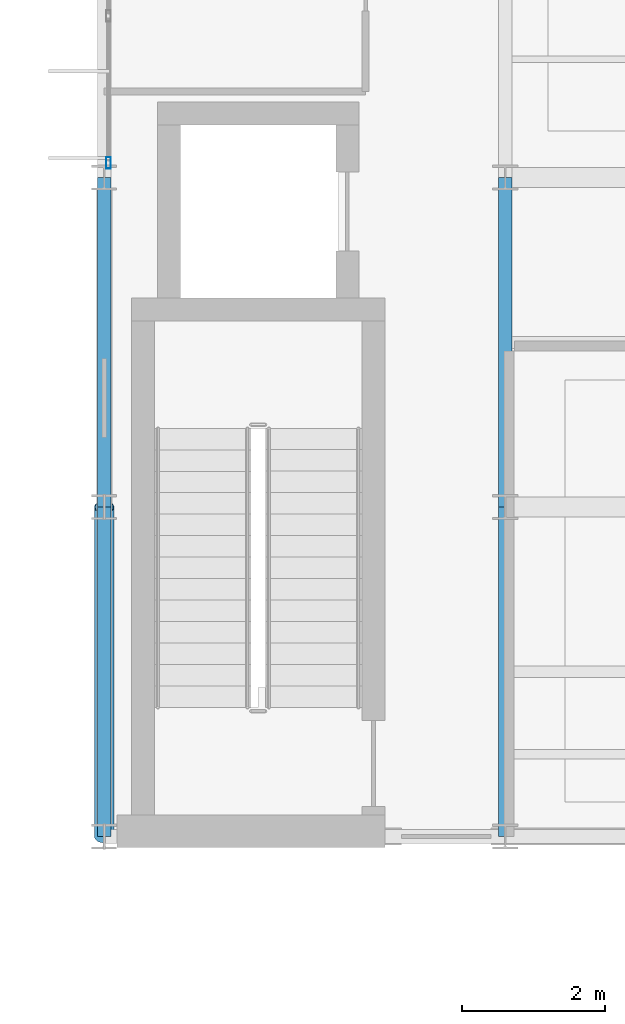
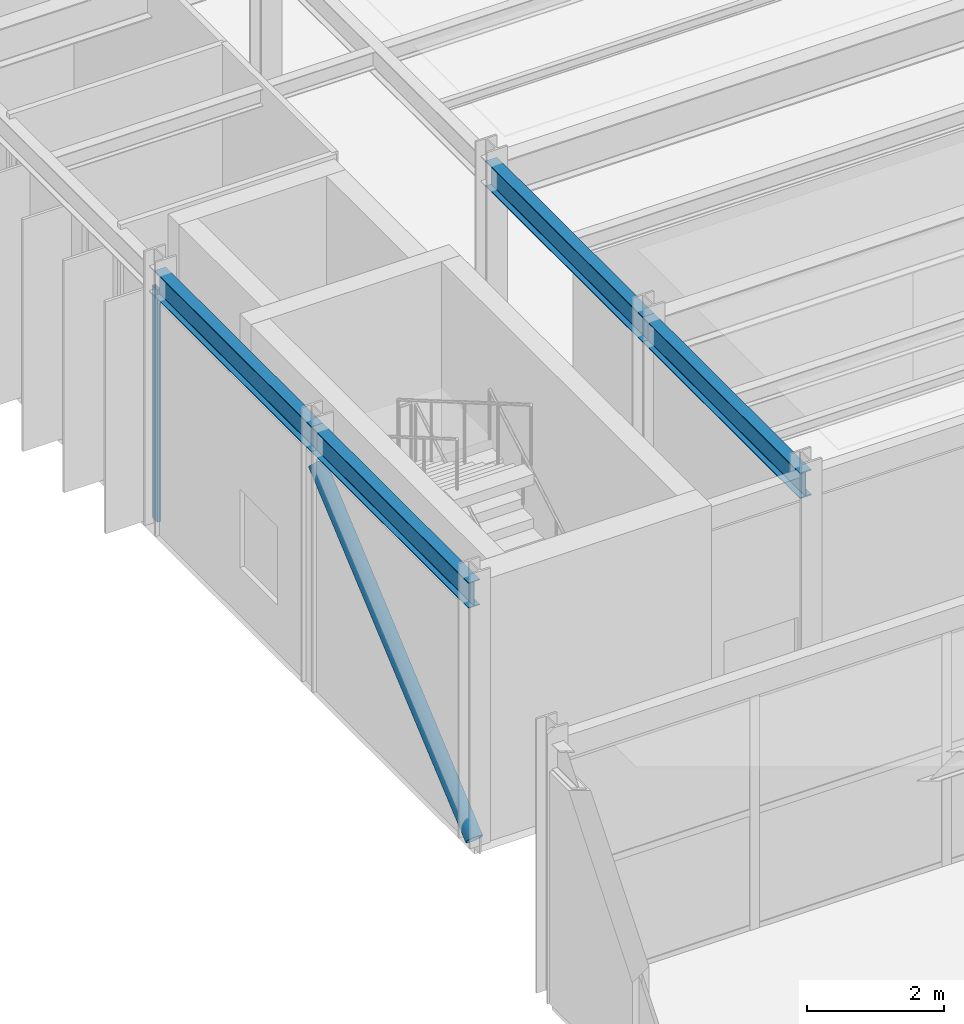
# One storey, part 32 of 144: 4 beams, 2 members, 1 element without a shape of its own.
"""IFC4 building model written with IfcOpenShell, lengths in metres."""

import ifcopenshell
import ifcopenshell.guid

model = None  # the IFC model being written
_history = None  # IfcOwnerHistory: only IFC2X3 demands one
_inside = {}  # id of a spatial element -> (the spatial element, [elements in it])
_under = {}  # id of a project, library or spatial element -> (it, [spatial elements below it])
_declared = {}  # id of a project -> (the project, [libraries it declares])
_typed = {}  # id of a type object -> (the type object, [elements of that type])
_made_of = {}  # id of a material, layer set ... -> (it, [elements and type objects made of it])


def new_model(schema):
    """Start an empty IFC model of exactly this schema.

    Asked for "IFC4X3", IfcOpenShell would pick the latest addendum, in which some entities
    have other attributes; the version numbers below select the first issue.
    IFC2X3 requires an IfcOwnerHistory on every rooted entity: one is made here for all.
    """
    global model, _history
    if schema == "IFC4X3":
        model = ifcopenshell.file(schema_version=(4, 3, 0, 0))
    else:
        model = ifcopenshell.file(schema=schema)
    _inside.clear()
    _under.clear()
    _declared.clear()
    _typed.clear()
    _made_of.clear()
    _history = None
    if model.schema == "IFC2X3":
        org = make("IfcOrganization", Name="unknown")
        user = make(
            "IfcPersonAndOrganization",
            ThePerson=make("IfcPerson", FamilyName="unknown"),
            TheOrganization=org,
        )
        app = make(
            "IfcApplication",
            ApplicationDeveloper=org,
            Version="unknown",
            ApplicationFullName="unknown",
            ApplicationIdentifier="unknown",
        )
        _history = make(
            "IfcOwnerHistory",
            OwningUser=user,
            OwningApplication=app,
            ChangeAction="ADDED",
            CreationDate=0,
        )
    return model


def make(cls, **values):
    """One entity of the class cls with the attributes given. An attribute that is None is left unset."""
    return model.create_entity(
        cls, **{name: value for name, value in values.items() if value is not None}
    )


def rooted(cls, **values):
    """An entity with a GlobalId (a new one), such as an element, a storey or a relation."""
    return make(cls, GlobalId=ifcopenshell.guid.new(), OwnerHistory=_history, **values)


def si_unit(unit_type, name, prefix=None):
    """IfcSIUnit, for example si_unit("LENGTHUNIT", "METRE", prefix="MILLI")."""
    return make("IfcSIUnit", UnitType=unit_type, Prefix=prefix, Name=name)


def assignment(units):
    """IfcUnitAssignment: the units of a project."""
    return None if units is None else make("IfcUnitAssignment", Units=units)


def point(xyz):
    """IfcCartesianPoint."""
    return None if xyz is None else make("IfcCartesianPoint", Coordinates=xyz)


def direction(xyz):
    """IfcDirection."""
    return None if xyz is None else make("IfcDirection", DirectionRatios=xyz)


def frame(location, z_axis=None, x_axis=None):
    """IfcAxis2Placement3D, a coordinate frame: its origin and axes. An axis left out is left unset."""
    return make(
        "IfcAxis2Placement3D",
        Location=point(location),
        Axis=direction(z_axis),
        RefDirection=direction(x_axis),
    )


def frame_2d(location, x_axis=None):
    """IfcAxis2Placement2D, a coordinate frame in the plane: its origin and x axis."""
    return make(
        "IfcAxis2Placement2D", Location=point(location), RefDirection=direction(x_axis)
    )


def origin():
    """The frame at (0, 0, 0) with its axes left unset."""
    return frame((0.0, 0.0, 0.0))


def origin_2d():
    """The frame at (0, 0) in the plane with its x axis left unset."""
    return frame_2d((0.0, 0.0))


def place(relative_to, where):
    """IfcLocalPlacement: puts the frame where relative to a parent placement (None: the world)."""
    return make(
        "IfcLocalPlacement", PlacementRelTo=relative_to, RelativePlacement=where
    )


def context(
    kind, dimensions, precision=None, world=None, true_north=None, identifier=None
):
    """IfcGeometricRepresentationContext, for example the 3D "Model" context."""
    return make(
        "IfcGeometricRepresentationContext",
        ContextIdentifier=identifier,
        ContextType=kind,
        CoordinateSpaceDimension=dimensions,
        Precision=precision,
        WorldCoordinateSystem=world,
        TrueNorth=true_north,
    )


def subcontext(parent, identifier, kind, view, scale=None):
    """IfcGeometricRepresentationSubContext, for example "Body" below "Model"."""
    return make(
        "IfcGeometricRepresentationSubContext",
        ContextIdentifier=identifier,
        ContextType=kind,
        ParentContext=parent,
        TargetScale=scale,
        TargetView=view,
    )


def project(units=None, contexts=None):
    """IfcProject with its units and contexts."""
    return rooted(
        "IfcProject",
        Name="project",
        RepresentationContexts=contexts,
        UnitsInContext=assignment(units),
    )


def spatial(cls, under=None, at=None, **own):
    """A site, building, storey or space (cls), placed at a placement, below another one or the project."""
    s = rooted(cls, ObjectPlacement=at, **own)
    if under is not None:
        _under.setdefault(under.id(), (under, []))[1].append(s)
    return s


def profile(cls, at=None, kind="AREA", **sizes):
    """A parametric profile (cls). Its sizes go by their IFC names, for example OverallWidth=200.0."""
    return make(cls, ProfileType=kind, Position=at, **sizes)


def hollow_rectangle(**sizes):
    """IfcRectangleHollowProfileDef."""
    return profile("IfcRectangleHollowProfileDef", **sizes)


def hollow_circle(**sizes):
    """IfcCircleHollowProfileDef."""
    return profile("IfcCircleHollowProfileDef", **sizes)


def i_section(**sizes):
    """IfcIShapeProfileDef."""
    return profile("IfcIShapeProfileDef", **sizes)


def extrude(swept, where, along, depth):
    """IfcExtrudedAreaSolid: the profile swept, set in the frame where, extruded along a direction by depth."""
    return make(
        "IfcExtrudedAreaSolid",
        SweptArea=swept,
        Position=where,
        ExtrudedDirection=direction(along),
        Depth=depth,
    )


def shape(context_of_items, identifier, shape_type, items):
    """IfcShapeRepresentation: the items that make up one representation, for example the "Body"."""
    return make(
        "IfcShapeRepresentation",
        ContextOfItems=context_of_items,
        RepresentationIdentifier=identifier,
        RepresentationType=shape_type,
        Items=items,
    )


def material(Name=None, Category=None):
    """IfcMaterial."""
    return make("IfcMaterial", Name=Name, Category=Category)


def material_profile(
    of_material, cross_section, Name=None, Category=None, Priority=None
):
    """IfcMaterialProfile: a cross section and its material."""
    return make(
        "IfcMaterialProfile",
        Name=Name,
        Material=of_material,
        Profile=cross_section,
        Priority=Priority,
        Category=Category,
    )


def profile_set(profiles, Name=None, composite=None):
    """IfcMaterialProfileSet."""
    return make(
        "IfcMaterialProfileSet",
        Name=Name,
        MaterialProfiles=profiles,
        CompositeProfile=composite,
    )


def made_of(thing, what):
    """Note that an element or type object is made of a material, layer set ...; save() writes the relation."""
    if what is not None:
        _made_of.setdefault(what.id(), (what, []))[1].append(thing)
    return thing


def type_object(cls, material=None, **own):
    """A type object (cls), such as IfcWallType, which elements share."""
    return made_of(rooted(cls, **own), material)


def element(
    cls,
    number,
    at=None,
    inside=None,
    cuts=None,
    type_object=None,
    material=None,
    context=None,
    identifier="Body",
    shape_type=None,
    held_by="IfcProductDefinitionShape",
    body=None,
    shapes=None,
    **own,
):
    """One element of the class cls, such as IfcWall. Its Tag is "e" and its number.

    at: its placement. inside: the storey or other place that contains it. cuts: it is an
    opening in that element (IfcRelVoidsElement). A single representation is given by context,
    identifier, shape_type and body (its items); several are given by shapes. held_by: the class
    of the entity that holds the representations. save() writes the other relations.
    """
    e = rooted(cls, Tag="e%d" % number, ObjectPlacement=at, **own)
    if body is not None:
        shapes = [shape(context, identifier, shape_type, body)]
    if shapes is not None:
        e.Representation = make(held_by, Representations=shapes)
    if inside is not None:
        _inside.setdefault(inside.id(), (inside, []))[1].append(e)
    if cuts is not None:
        rooted(
            "IfcRelVoidsElement", RelatingBuildingElement=cuts, RelatedOpeningElement=e
        )
    if type_object is not None:
        _typed.setdefault(type_object.id(), (type_object, []))[1].append(e)
    return made_of(e, material)


def aggregate(whole, parts):
    """IfcRelAggregates: a whole, such as a stair, and the parts it consists of."""
    return rooted("IfcRelAggregates", RelatingObject=whole, RelatedObjects=parts)


def save(model, path):
    """Write the relations noted so far, then the file.

    IfcRelAggregates (storeys below a building ...), IfcRelContainedInSpatialStructure (elements
    in a storey), IfcRelDefinesByType, IfcRelAssociatesMaterial and IfcRelDeclares: one each for
    every whole, place, type object, material and project.
    """
    for whole, parts in _under.values():
        aggregate(whole, parts)
    for where, things in _inside.values():
        rooted(
            "IfcRelContainedInSpatialStructure",
            RelatedElements=things,
            RelatingStructure=where,
        )
    for kind, things in _typed.values():
        rooted("IfcRelDefinesByType", RelatedObjects=things, RelatingType=kind)
    for what, things in _made_of.values():
        rooted("IfcRelAssociatesMaterial", RelatedObjects=things, RelatingMaterial=what)
    for by, libraries in _declared.values():
        rooted("IfcRelDeclares", RelatingContext=by, RelatedDefinitions=libraries)
    model.write(path)


model = new_model("IFC4")

# Units and contexts
model_context = context("Model", 3, precision=1e-05, world=origin(), true_north=direction((0.0, 1.0)))
body_context = subcontext(model_context, "Body", "Model", "MODEL_VIEW")
ifc_project = project(units=[si_unit("LENGTHUNIT", "METRE"), si_unit("AREAUNIT", "SQUARE_METRE"), si_unit("VOLUMEUNIT", "CUBIC_METRE"), si_unit("PLANEANGLEUNIT", "RADIAN"), si_unit("MASSUNIT", "GRAM", prefix="KILO")], contexts=[model_context])

# Site, building, storey
site_placement = place(None, origin())
site = spatial("IfcSite", under=ifc_project, at=site_placement, CompositionType="ELEMENT")
building_placement = place(site_placement, origin())
building = spatial("IfcBuilding", under=site, at=building_placement, Name="Karori Crest Natural Sciences Institute", CompositionType="ELEMENT")
storey_placement = place(building_placement, origin())
storey = spatial("IfcBuildingStorey", under=building, at=storey_placement, Name="L00", CompositionType="ELEMENT", Elevation=0.0)

# Beams
ifc_material_1 = material(Name="Structural steel AS/NZS 3679.1 Grade 350", Category="steel")
ifc_material_profile_1 = material_profile(ifc_material_1, i_section(OverallWidth=0.19091796875, OverallDepth=0.4599609375, WebThickness=0.010009765625, FlangeThickness=0.01611328125, FilletRadius=0.010986328125, at=origin_2d()), Name="460UB82.1")
ifc_profile_set_1 = profile_set([ifc_material_profile_1], Name="Structural steel AS/NZS 3679.1 Grade 350")
beam_type_1 = type_object("IfcBeamType", Name="BT-06", PredefinedType="BEAM", material=ifc_profile_set_1)
beam_1_placement = place(storey_placement, frame((7.39990234375, 31.199951171875, 4.389892578125), z_axis=(0.0, 1.0, 0.0), x_axis=(-1.0, 0.0, 0.0)))
element("IfcBeam", 1, at=beam_1_placement, inside=storey, type_object=beam_type_1, Name="Beam B-0967", PredefinedType="BEAM", context=body_context, shape_type="SweptSolid", body=[
    extrude(i_section(OverallWidth=0.19091796875, OverallDepth=0.4599609375, WebThickness=0.010009765625, FlangeThickness=0.01611328125, FilletRadius=0.010986328125, at=origin_2d()), origin(), (0.0, 0.0, 1.0), 4.60009765625),
])
beam_2_placement = place(storey_placement, frame((7.39990234375, 35.800048828125, 4.389892578125), z_axis=(0.0, 1.0, 0.0), x_axis=(-1.0, 0.0, 0.0)))
element("IfcBeam", 2, at=beam_2_placement, inside=storey, type_object=beam_type_1, Name="Beam B-0968", PredefinedType="BEAM", context=body_context, shape_type="SweptSolid", body=[
    extrude(i_section(OverallWidth=0.19091796875, OverallDepth=0.4599609375, WebThickness=0.010009765625, FlangeThickness=0.01611328125, FilletRadius=0.010986328125, at=origin_2d()), origin(), (0.0, 0.0, 1.0), 4.599853515625),
])
ifc_material_profile_2 = material_profile(ifc_material_1, i_section(OverallWidth=0.19091796875, OverallDepth=0.4599609375, WebThickness=0.010009765625, FlangeThickness=0.01611328125, FilletRadius=0.010986328125, at=origin_2d()), Name="460UB82.1")
ifc_profile_set_2 = profile_set([ifc_material_profile_2], Name="Structural steel AS/NZS 3679.1 Grade 350")
beam_type_2 = type_object("IfcBeamType", Name="BT-06-EL", PredefinedType="BEAM", material=ifc_profile_set_2)
beam_3_placement = place(storey_placement, frame((1.800048828125, 31.199951171875, 4.389892578125), z_axis=(0.0, 1.0, 0.0), x_axis=(-1.0, 0.0, 0.0)))
element("IfcBeam", 3, at=beam_3_placement, inside=storey, type_object=beam_type_2, Name="Beam B-0960", PredefinedType="BEAM", context=body_context, shape_type="SweptSolid", body=[
    extrude(i_section(OverallWidth=0.19091796875, OverallDepth=0.4599609375, WebThickness=0.010009765625, FlangeThickness=0.01611328125, FilletRadius=0.010986328125, at=origin_2d()), origin(), (0.0, 0.0, 1.0), 4.60009765625),
])
beam_4_placement = place(storey_placement, frame((1.800048828125, 35.800048828125, 4.389892578125), z_axis=(0.0, 1.0, 0.0), x_axis=(-1.0, 0.0, 0.0)))
element("IfcBeam", 4, at=beam_4_placement, inside=storey, type_object=beam_type_2, Name="Beam B-0961", PredefinedType="BEAM", context=body_context, shape_type="SweptSolid", body=[
    extrude(i_section(OverallWidth=0.19091796875, OverallDepth=0.4599609375, WebThickness=0.010009765625, FlangeThickness=0.01611328125, FilletRadius=0.010986328125, at=origin_2d()), origin(), (0.0, 0.0, 1.0), 4.599853515625),
])

# Curtain wall, member
ifc_material_2 = material(Name="Anodised architectural aluminium 6063-T6", Category="aluminium")
curtain_wall_type = type_object("IfcCurtainWallType", Name="CWT-17", PredefinedType="NOTDEFINED", material=ifc_material_2)
curtain_wall_placement = place(storey_placement, origin())
curtain_wall = element("IfcCurtainWall", 5, at=curtain_wall_placement, inside=storey, type_object=curtain_wall_type, Name="Curtain wall CW-0254", PredefinedType="NOTDEFINED")
ifc_material_profile_3 = material_profile(ifc_material_2, hollow_rectangle(XDim=0.06494140625, YDim=0.159912109375, WallThickness=0.00390625, at=origin_2d()), Name="CWM160x65x4")
ifc_profile_set_3 = profile_set([ifc_material_profile_3], Name="Anodised architectural aluminium 6063-T6")
member_type_1 = type_object("IfcMemberType", Name="CWM-01", PredefinedType="MULLION", material=ifc_profile_set_3)
member_1_placement = place(storey_placement, frame((1.860107421875, 40.60546875, 0.0), z_axis=(0.0, 0.0, 1.0), x_axis=(-1.0, 0.0, 0.0)))
member_1 = element("IfcMember", 6, at=member_1_placement, type_object=member_type_1, Name="CW-0254 mullion 1", PredefinedType="MULLION", context=body_context, shape_type="SweptSolid", body=[
    extrude(hollow_rectangle(XDim=0.06494140625, YDim=0.159912109375, WallThickness=0.00390625, at=origin_2d()), origin(), (0.0, 0.0, 1.0), 4.14501953125),
])
aggregate(curtain_wall, [member_1])

# Member
ifc_material_3 = material(Name="Hollow structural steel AS/NZS 1163 Grade C350", Category="steel")
ifc_material_profile_4 = material_profile(ifc_material_3, hollow_circle(Radius=0.136474609375, WallThickness=0.00927734375, at=origin_2d()), Name="CHS273.0x9.3")
ifc_profile_set_4 = profile_set([ifc_material_profile_4], Name="Hollow structural steel AS/NZS 1163 Grade C350")
member_type_2 = type_object("IfcMemberType", Name="MT-01-EL", PredefinedType="BRACE", material=ifc_profile_set_4)
member_2_placement = place(storey_placement, frame((1.800048828125, 31.199951171875, 0.010009765625), z_axis=(0.0, 0.761135391114, 0.648593028326), x_axis=(-1.0, 0.0, 0.0)))
element("IfcMember", 7, at=member_2_placement, inside=storey, type_object=member_type_2, Name="Diagonal Brace M-0251", PredefinedType="BRACE", context=body_context, shape_type="SweptSolid", body=[
    extrude(hollow_circle(Radius=0.136474609375, WallThickness=0.00927734375, at=origin_2d()), origin(), (0.0, 0.0, 1.0), 6.043701171875),
])

save(model, "model.ifc")
